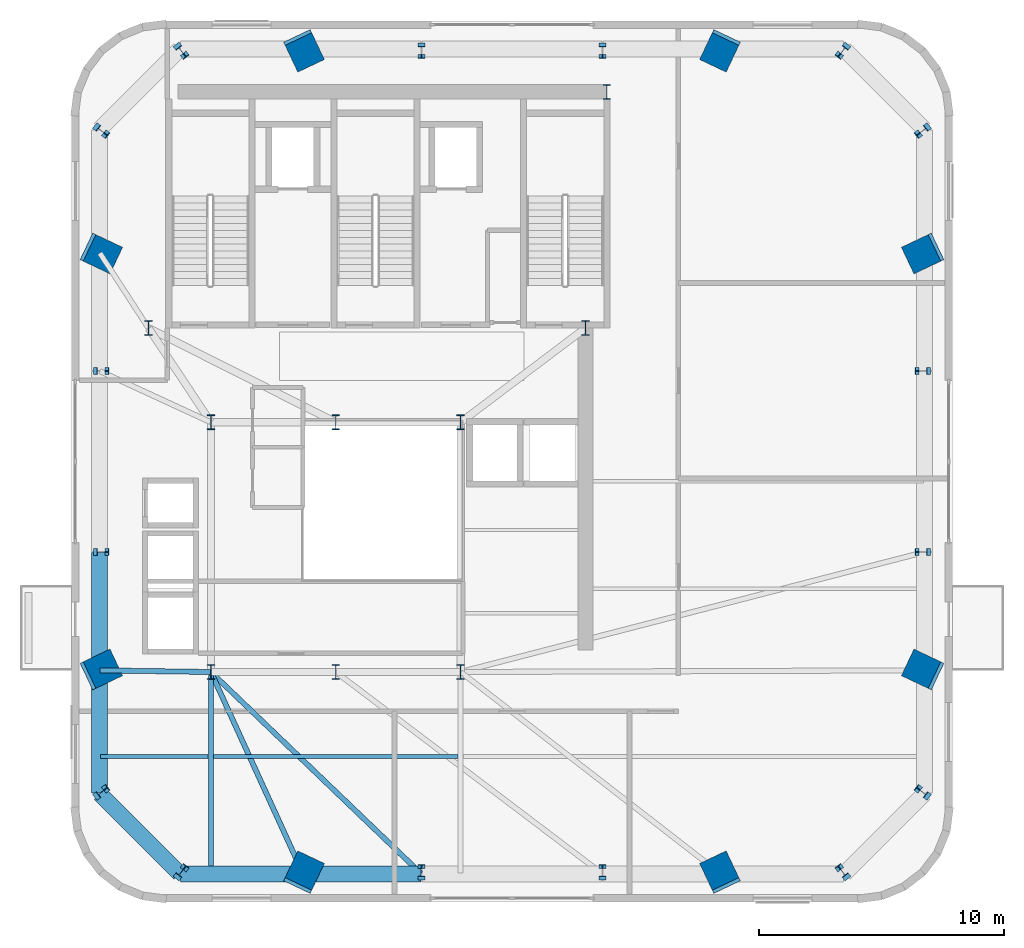
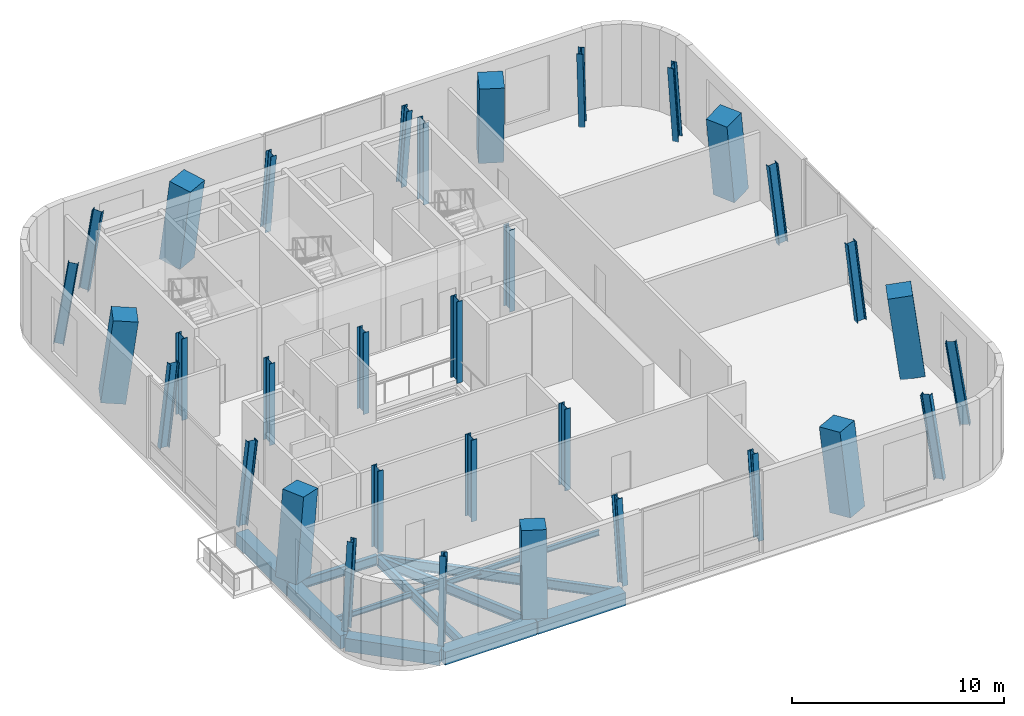
# One storey, part 1 of 11: 33 columns, 11 beams.
"""IFC4 building model written with IfcOpenShell, lengths in metres."""

from ifc_helpers import new_model, si_unit, direction, frame, origin, origin_2d, place, context, subcontext, project, spatial, rectangle, i_section, extrude, source, transform, mapped, material, material_profile, profile_set, type_object, element, save


model = new_model("IFC4")

# Units and contexts
model_context = context("Model", 3, precision=1e-05, world=origin(), true_north=direction((0.0, 1.0)))
body_context = subcontext(model_context, "Body", "Model", "MODEL_VIEW")
ifc_project = project(units=[si_unit("LENGTHUNIT", "METRE"), si_unit("AREAUNIT", "SQUARE_METRE"), si_unit("VOLUMEUNIT", "CUBIC_METRE"), si_unit("PLANEANGLEUNIT", "RADIAN"), si_unit("MASSUNIT", "GRAM", prefix="KILO")], contexts=[model_context])

# Site, building, storey
site_placement = place(None, origin())
site = spatial("IfcSite", under=ifc_project, at=site_placement, CompositionType="ELEMENT")
building_placement = place(site_placement, origin())
building = spatial("IfcBuilding", under=site, at=building_placement, Name="Vardaveli Station Tower", CompositionType="ELEMENT")
storey_placement = place(building_placement, frame((0.0, 0.0, 296.14990234375)))
storey = spatial("IfcBuildingStorey", under=building, at=storey_placement, Name="L75", CompositionType="ELEMENT", Elevation=296.14990234375)

# Columns
ifc_material_1 = material(Name="Structural steel S460M", Category="steel")
ifc_material_profile_1 = material_profile(ifc_material_1, i_section(OverallWidth=0.300048828125, OverallDepth=0.60009765625, WebThickness=0.015380859375, FlangeThickness=0.030029296875, FilletRadius=0.027099609375, at=origin_2d()), Name="HEB 600")
ifc_profile_set_1 = profile_set([ifc_material_profile_1], Name="Structural steel S460M")
column_type_1 = type_object("IfcColumnType", Name="COL-HEB600", PredefinedType="COLUMN", material=ifc_profile_set_1)
shared_shape_1 = source(origin(), body_context, "Body", "SweptSolid", [
    extrude(i_section(OverallWidth=0.300048828125, OverallDepth=0.60009765625, WebThickness=0.015380859375, FlangeThickness=0.030029296875, FilletRadius=0.027099609375, at=origin_2d()), origin(), (0.0, 0.0, 1.0), 4.7001953125),
])
for number, where, z_axis, x_axis, name in (
    (1, (31.199951171875, 16.60009765625, 0.0), (0.0, 0.0, 1.0), (1.0, 0.0, 0.0), "COL-L75-AC1"),
    (2, (36.300048828125, 16.60009765625, 0.0), (0.0, 0.0, 1.0), (1.0, 0.0, 0.0), "COL-L75-AC2"),
    (3, (41.39990234375, 16.60009765625, 0.0), (0.0, 0.0, 1.0), (1.0, 0.0, 0.0), "COL-L75-AC3"),
    (4, (41.39990234375, 26.800048828125, 0.0), (0.0, 0.0, 1.0), (1.0, 0.0, 0.0), "COL-L75-AC4"),
    (5, (36.300048828125, 26.800048828125, 0.0), (0.0, 0.0, 1.0), (1.0, 0.0, 0.0), "COL-L75-AC5"),
    (6, (31.199951171875, 26.800048828125, 0.0), (0.0, 0.0, 1.0), (1.0, 0.0, 0.0), "COL-L75-AC6"),
    (7, (28.64990234375, 30.64990234375, 0.0), (0.0, 0.0, 1.0), (1.0, 0.0, 0.0), "COL-L75-CC1"),
    (8, (46.5, 30.64990234375, 0.0), (0.0, 0.0, 1.0), (1.0, 0.0, 0.0), "COL-L75-CC2"),
    (9, (47.3701171875, 40.300048828125, 0.0), (0.0, 0.0, 1.0), (1.0, 0.0, 0.0), "COL-L75-CC3"),
):
    element("IfcColumn", number, at=place(storey_placement, frame(where, z_axis=z_axis, x_axis=x_axis)), inside=storey, type_object=column_type_1, Name=name, PredefinedType="COLUMN", context=body_context, shape_type="MappedRepresentation", body=[
        mapped(shared_shape_1, transform((0.0, 0.0, 0.0), scale=1.0)),
    ])
ifc_material_2 = material(Name="Concrete C50/60", Category="concrete")
ifc_material_profile_2 = material_profile(ifc_material_2, rectangle(XDim=1.199951171875, YDim=1.199951171875, at=origin_2d()), Name="MC 1200x1200")
ifc_profile_set_2 = profile_set([ifc_material_profile_2], Name="Concrete C50/60")
column_type_2 = type_object("IfcColumnType", Name="COL-MC-1200", PredefinedType="COLUMN", material=ifc_profile_set_2)
shared_shape_2 = source(origin(), body_context, "Body", "SweptSolid", [
    extrude(rectangle(XDim=1.199951171875, YDim=1.199951171875, at=origin_2d()), origin(), (0.0, 0.0, 1.0), 4.738037109375),
])
for number, where, z_axis, x_axis, name in (
    (10, (34.968017578125, 8.35009765625, 0.0), (0.054052892688, 0.113928451605, 0.992017435687), (-0.903471410247, 0.428648353392, 0.0), "COL-L75-MC1"),
    (11, (52.031982421875, 8.35009765625, 0.0), (-0.054052892688, 0.113928451605, 0.992017435687), (-0.903471410247, -0.428648353392, 0.0), "COL-L75-MC2"),
    (12, (60.35009765625, 16.66796875, 0.0), (-0.113978992753, 0.054103952256, 0.992008846514), (-0.428823545912, -0.903388270054, 0.0), "COL-L75-MC3"),
    (13, (60.35009765625, 33.73193359375, 0.0), (-0.113979310359, -0.054052575301, 0.992011610775), (0.428490156126, -0.903546449333, 0.0), "COL-L75-MC4"),
    (14, (52.031982421875, 42.050048828125, 0.0), (-0.054052575301, -0.113979310359, 0.992011610775), (0.903546449333, -0.428490156126, 0.0), "COL-L75-MC5"),
    (15, (34.968017578125, 42.050048828125, 0.0), (0.054052575301, -0.113979310359, 0.992011610775), (0.903546449333, 0.428490156126, 0.0), "COL-L75-MC6"),
    (16, (26.64990234375, 33.73193359375, 0.0), (0.113979310359, -0.054052575301, 0.992011610775), (0.428490156126, 0.903546449333, 0.0), "COL-L75-MC7"),
    (17, (26.64990234375, 16.66796875, 0.0), (0.113978992753, 0.054103952256, 0.992008846514), (-0.428823545912, 0.903388270054, 0.0), "COL-L75-MC8"),
):
    element("IfcColumn", number, at=place(storey_placement, frame(where, z_axis=z_axis, x_axis=x_axis)), inside=storey, type_object=column_type_2, Name=name, PredefinedType="COLUMN", context=body_context, shape_type="MappedRepresentation", body=[
        mapped(shared_shape_2, transform((0.0, 0.0, 0.0), scale=1.0)),
    ])
ifc_material_3 = material(Name="Structural steel S355J2", Category="steel")
ifc_material_profile_3 = material_profile(ifc_material_3, i_section(OverallWidth=0.300048828125, OverallDepth=0.5, WebThickness=0.014404296875, FlangeThickness=0.028076171875, FilletRadius=0.027099609375, at=origin_2d()), Name="HEB 500")
ifc_profile_set_3 = profile_set([ifc_material_profile_3], Name="Structural steel S355J2")
column_type_3 = type_object("IfcColumnType", Name="COL-HEB500", PredefinedType="COLUMN", material=ifc_profile_set_3)
shared_shape_3 = source(origin(), body_context, "Body", "SweptSolid", [
    extrude(i_section(OverallWidth=0.300048828125, OverallDepth=0.5, WebThickness=0.014404296875, FlangeThickness=0.028076171875, FilletRadius=0.027099609375, at=origin_2d()), origin(), (0.0, 0.0, 1.0), 4.750244140625),
])
for number, where, z_axis, x_axis, name in (
    (18, (29.929931640625, 8.35009765625, 0.0), (0.089889082184, 0.113633368044, 0.989448033285), (-0.784283129619, 0.620403072684, 0.0), "COL-L75-PC01"),
    (19, (57.070068359375, 8.35009765625, 0.0), (-0.089889082184, 0.113633368044, 0.989448033285), (-0.784283129619, -0.620403072684, 0.0), "COL-L75-PC04"),
    (20, (60.35009765625, 11.6298828125, 0.0), (-0.113684098524, 0.089888557106, 0.989442253517), (-0.620230509589, -0.784419603895, 0.0), "COL-L75-PC05"),
    (21, (60.35009765625, 38.77001953125, 0.0), (-0.113684098524, -0.089888557106, 0.989442253517), (0.620230509589, -0.784419603895, 0.0), "COL-L75-PC08"),
    (22, (57.070068359375, 42.050048828125, 0.0), (-0.089888557106, -0.113684098524, 0.989442253517), (0.784419603895, -0.620230509589, 0.0), "COL-L75-PC09"),
    (23, (29.929931640625, 42.050048828125, 0.0), (0.089888557106, -0.113684098524, 0.989442253517), (0.784419603895, 0.620230509589, 0.0), "COL-L75-PC12"),
    (24, (26.64990234375, 38.77001953125, 0.0), (0.113684098524, -0.089888557106, 0.989442253517), (0.620230509589, 0.784419603895, 0.0), "COL-L75-PC13"),
    (25, (26.64990234375, 11.6298828125, 0.0), (0.113684098524, 0.089888557106, 0.989442253517), (-0.620230509589, 0.784419603895, 0.0), "COL-L75-PC16"),
):
    element("IfcColumn", number, at=place(storey_placement, frame(where, z_axis=z_axis, x_axis=x_axis)), inside=storey, type_object=column_type_3, Name=name, PredefinedType="COLUMN", context=body_context, shape_type="MappedRepresentation", body=[
        mapped(shared_shape_3, transform((0.0, 0.0, 0.0), scale=1.0)),
    ])
shared_shape_4 = source(origin(), body_context, "Body", "SweptSolid", [
    extrude(i_section(OverallWidth=0.300048828125, OverallDepth=0.5, WebThickness=0.014404296875, FlangeThickness=0.028076171875, FilletRadius=0.027099609375, at=origin_2d()), origin(), (0.0, 0.0, 1.0), 4.731201171875),
])
for number, where, z_axis, x_axis, name in (
    (26, (39.800048828125, 8.35009765625, 0.0), (0.0, 0.114095250443, 0.993469815257), (-1.0, 0.0, 0.0), "COL-L75-PC02"),
    (27, (47.199951171875, 8.35009765625, 0.0), (0.0, 0.114095250443, 0.993469815257), (-1.0, 0.0, 0.0), "COL-L75-PC03"),
    (28, (60.35009765625, 21.5, 0.0), (-0.114146181694, 0.0, 0.993463964724), (0.0, -1.0, 0.0), "COL-L75-PC06"),
    (29, (60.35009765625, 28.89990234375, 0.0), (-0.114146181694, 0.0, 0.993463964724), (0.0, -1.0, 0.0), "COL-L75-PC07"),
    (30, (47.199951171875, 42.050048828125, 0.0), (0.0, -0.114146181694, 0.993463964724), (1.0, 0.0, 0.0), "COL-L75-PC10"),
    (31, (39.800048828125, 42.050048828125, 0.0), (0.0, -0.114146181694, 0.993463964724), (1.0, 0.0, 0.0), "COL-L75-PC11"),
    (32, (26.64990234375, 28.89990234375, 0.0), (0.114146181694, 0.0, 0.993463964724), (0.0, 1.0, 0.0), "COL-L75-PC14"),
    (33, (26.64990234375, 21.5, 0.0), (0.114146181694, 0.0, 0.993463964724), (0.0, 1.0, 0.0), "COL-L75-PC15"),
):
    element("IfcColumn", number, at=place(storey_placement, frame(where, z_axis=z_axis, x_axis=x_axis)), inside=storey, type_object=column_type_3, Name=name, PredefinedType="COLUMN", context=body_context, shape_type="MappedRepresentation", body=[
        mapped(shared_shape_4, transform((0.0, 0.0, 0.0), scale=1.0)),
    ])

# Beams
ifc_material_profile_4 = material_profile(ifc_material_3, i_section(OverallWidth=0.14990234375, OverallDepth=0.300048828125, WebThickness=0.007080078125, FlangeThickness=0.0107421875, FilletRadius=0.014892578125, at=origin_2d()), Name="IPE 300")
ifc_profile_set_4 = profile_set([ifc_material_profile_4], Name="Structural steel S355J2")
beam_type_1 = type_object("IfcBeamType", Name="BM-IPE300", PredefinedType="JOIST", material=ifc_profile_set_4)
shared_shape_5 = source(origin(), body_context, "Body", "SweptSolid", [
    extrude(i_section(OverallWidth=0.14990234375, OverallDepth=0.300048828125, WebThickness=0.007080078125, FlangeThickness=0.0107421875, FilletRadius=0.014892578125, at=origin_2d()), origin(), (0.0, 0.0, 1.0), 9.97607421875),
])
beam_1_placement = place(storey_placement, frame((31.31201171875, 13.14990234375, -0.449951171875), z_axis=(1.0, 0.0, 0.0), x_axis=(0.0, 1.0, 0.0)))
element("IfcBeam", 34, at=beam_1_placement, inside=storey, type_object=beam_type_1, Name="SJ-L75-S02", PredefinedType="JOIST", context=body_context, shape_type="MappedRepresentation", body=[
    mapped(shared_shape_5, transform((0.0, 0.0, 0.0), scale=1.0)),
])
ifc_material_4 = material(Name="Precast concrete C45/55", Category="concrete")
ifc_material_profile_5 = material_profile(ifc_material_4, rectangle(XDim=0.64990234375, YDim=0.75, at=origin_2d()), Name="LPB 650x750")
ifc_profile_set_5 = profile_set([ifc_material_profile_5], Name="Precast concrete C45/55")
beam_type_2 = type_object("IfcBeamType", Name="BM-LPB-750", PredefinedType="BEAM", material=ifc_profile_set_5)
shared_shape_6 = source(origin(), body_context, "Body", "SweptSolid", [
    extrude(rectangle(XDim=0.64990234375, YDim=0.75, at=origin_2d()), origin(), (0.0, 0.0, 1.0), 4.7919921875),
])
for number, where, z_axis, x_axis, name in (
    (35, (34.988037109375, 8.35009765625, -0.6748046875), (1.0, 0.0, 0.0), (0.0, 1.0, 0.0), "RBM-L75-01"),
    (36, (26.64990234375, 21.47998046875, -0.6748046875), (0.0, -1.0, 0.0), (1.0, 0.0, 0.0), "RBM-L75-21"),
):
    element("IfcBeam", number, at=place(storey_placement, frame(where, z_axis=z_axis, x_axis=x_axis)), inside=storey, type_object=beam_type_2, Name=name, PredefinedType="BEAM", context=body_context, shape_type="MappedRepresentation", body=[
        mapped(shared_shape_6, transform((0.0, 0.0, 0.0), scale=1.0)),
    ])
shared_shape_7 = source(origin(), body_context, "Body", "SweptSolid", [
    extrude(rectangle(XDim=0.64990234375, YDim=0.75, at=origin_2d()), origin(), (0.0, 0.0, 1.0), 4.998046875),
])
for number, where, z_axis, x_axis, name in (
    (37, (26.64990234375, 16.64794921875, -0.6748046875), (0.0, -1.0, 0.0), (1.0, 0.0, 0.0), "RBM-L75-22"),
    (38, (29.949951171875, 8.35009765625, -0.6748046875), (1.0, 0.0, 0.0), (0.0, 1.0, 0.0), "RBM-L75-24"),
):
    element("IfcBeam", number, at=place(storey_placement, frame(where, z_axis=z_axis, x_axis=x_axis)), inside=storey, type_object=beam_type_2, Name=name, PredefinedType="BEAM", context=body_context, shape_type="MappedRepresentation", body=[
        mapped(shared_shape_7, transform((0.0, 0.0, 0.0), scale=1.0)),
    ])
shared_shape_8 = source(origin(), body_context, "Body", "SweptSolid", [
    extrude(rectangle(XDim=0.64990234375, YDim=0.75, at=origin_2d()), origin(), (0.0, 0.0, 1.0), 4.5986328125),
])
beam_2_placement = place(storey_placement, frame((26.6640625, 11.615966796875, -0.6748046875), z_axis=(0.707106781187, -0.707106781187, 0.0), x_axis=(0.707106781187, 0.707106781187, 0.0)))
element("IfcBeam", 39, at=beam_2_placement, inside=storey, type_object=beam_type_2, Name="RBM-L75-23", PredefinedType="BEAM", context=body_context, shape_type="MappedRepresentation", body=[
    mapped(shared_shape_8, transform((0.0, 0.0, 0.0), scale=1.0)),
])
ifc_material_profile_6 = material_profile(ifc_material_3, i_section(OverallWidth=0.2099609375, OverallDepth=0.550048828125, WebThickness=0.010986328125, FlangeThickness=0.01708984375, FilletRadius=0.02392578125, at=origin_2d()), Name="IPE 550")
ifc_profile_set_6 = profile_set([ifc_material_profile_6], Name="Structural steel S355J2")
beam_type_3 = type_object("IfcBeamType", Name="BM-IPE550", PredefinedType="BEAM", material=ifc_profile_set_6)
shared_shape_9 = source(origin(), body_context, "Body", "SweptSolid", [
    extrude(i_section(OverallWidth=0.2099609375, OverallDepth=0.550048828125, WebThickness=0.010986328125, FlangeThickness=0.01708984375, FilletRadius=0.02392578125, at=origin_2d()), origin(), (0.0, 0.0, 1.0), 9.02978515625),
])
beam_3_placement = place(storey_placement, frame((34.959716796875, 8.3681640625, -0.574951171875), z_axis=(-0.415454312708, 0.909614046754, 0.0), x_axis=(-0.909614046754, -0.415454312708, 0.0)))
element("IfcBeam", 40, at=beam_3_placement, inside=storey, type_object=beam_type_3, Name="GBM-L75-01", PredefinedType="BEAM", context=body_context, shape_type="MappedRepresentation", body=[
    mapped(shared_shape_9, transform((0.0, 0.0, 0.0), scale=1.0)),
])
shared_shape_10 = source(origin(), body_context, "Body", "SweptSolid", [
    extrude(i_section(OverallWidth=0.2099609375, OverallDepth=0.550048828125, WebThickness=0.010986328125, FlangeThickness=0.01708984375, FilletRadius=0.02392578125, at=origin_2d()), origin(), (0.0, 0.0, 1.0), 11.87744140625),
])
beam_4_placement = place(storey_placement, frame((39.78564453125, 8.36376953125, -0.574951171875), z_axis=(-0.721640708742, 0.692267785966, 0.0), x_axis=(-0.692267785966, -0.721640708742, 0.0)))
element("IfcBeam", 41, at=beam_4_placement, inside=storey, type_object=beam_type_3, Name="GBM-L75-02", PredefinedType="BEAM", context=body_context, shape_type="MappedRepresentation", body=[
    mapped(shared_shape_10, transform((0.0, 0.0, 0.0), scale=1.0)),
])
shared_shape_11 = source(origin(), body_context, "Body", "SweptSolid", [
    extrude(i_section(OverallWidth=0.2099609375, OverallDepth=0.550048828125, WebThickness=0.010986328125, FlangeThickness=0.01708984375, FilletRadius=0.02392578125, at=origin_2d()), origin(), (0.0, 0.0, 1.0), 4.510498046875),
])
beam_5_placement = place(storey_placement, frame((26.669921875, 16.667724609375, -0.574951171875), z_axis=(0.999888406061, -0.014939057006, 0.0), x_axis=(0.014939057006, 0.999888406061, 0.0)))
element("IfcBeam", 42, at=beam_5_placement, inside=storey, type_object=beam_type_3, Name="GBM-L75-10", PredefinedType="BEAM", context=body_context, shape_type="MappedRepresentation", body=[
    mapped(shared_shape_11, transform((0.0, 0.0, 0.0), scale=1.0)),
])
shared_shape_12 = source(origin(), body_context, "Body", "SweptSolid", [
    extrude(i_section(OverallWidth=0.2099609375, OverallDepth=0.550048828125, WebThickness=0.010986328125, FlangeThickness=0.01708984375, FilletRadius=0.02392578125, at=origin_2d()), origin(), (0.0, 0.0, 1.0), 8.070068359375),
])
beam_6_placement = place(storey_placement, frame((31.199951171875, 8.389892578125, -0.574951171875), z_axis=(0.0, 1.0, 0.0), x_axis=(-1.0, 0.0, 0.0)))
element("IfcBeam", 43, at=beam_6_placement, inside=storey, type_object=beam_type_3, Name="NSM-L75-S1", PredefinedType="BEAM", context=body_context, shape_type="MappedRepresentation", body=[
    mapped(shared_shape_12, transform((0.0, 0.0, 0.0), scale=1.0)),
])
shared_shape_13 = source(origin(), body_context, "Body", "SweptSolid", [
    extrude(i_section(OverallWidth=0.14990234375, OverallDepth=0.300048828125, WebThickness=0.007080078125, FlangeThickness=0.0107421875, FilletRadius=0.014892578125, at=origin_2d()), origin(), (0.0, 0.0, 1.0), 4.39794921875),
])
beam_7_placement = place(storey_placement, frame((26.68994140625, 13.14990234375, -0.449951171875), z_axis=(1.0, 0.0, 0.0), x_axis=(0.0, 1.0, 0.0)))
element("IfcBeam", 44, at=beam_7_placement, inside=storey, type_object=beam_type_1, Name="SJ-L75-S01", PredefinedType="JOIST", context=body_context, shape_type="MappedRepresentation", body=[
    mapped(shared_shape_13, transform((0.0, 0.0, 0.0), scale=1.0)),
])

save(model, "model.ifc")
